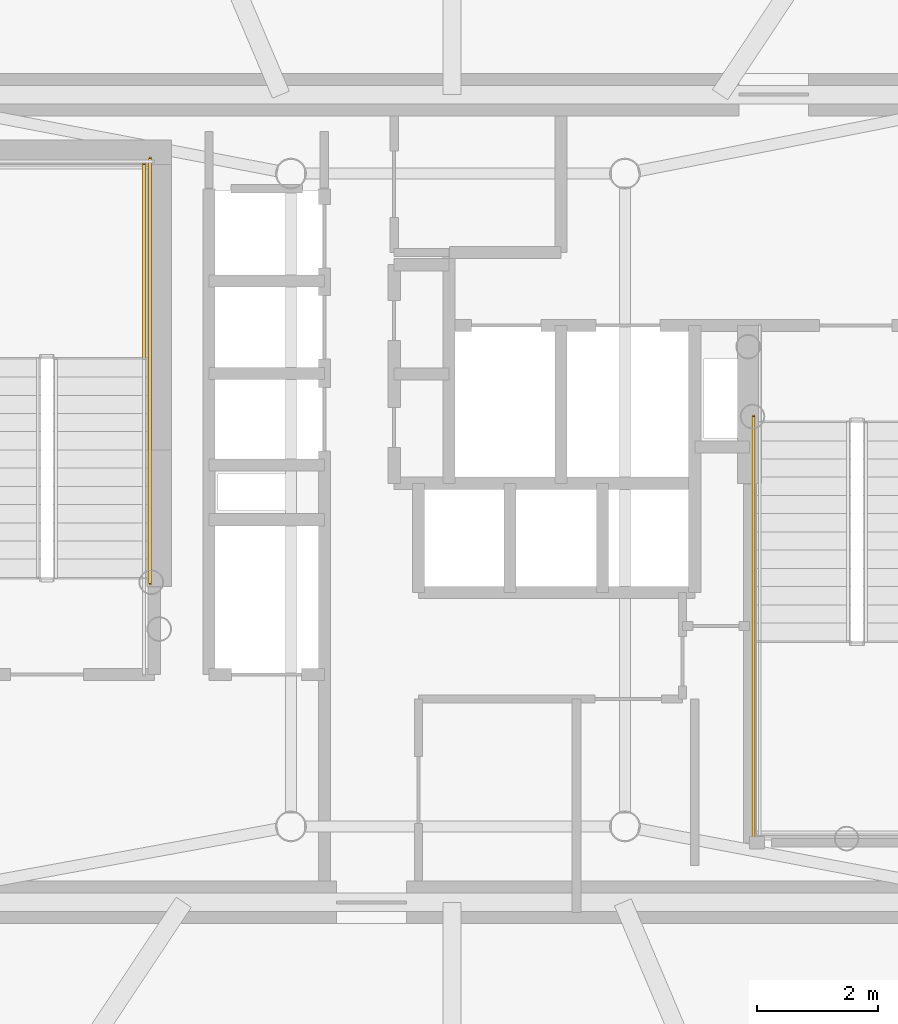
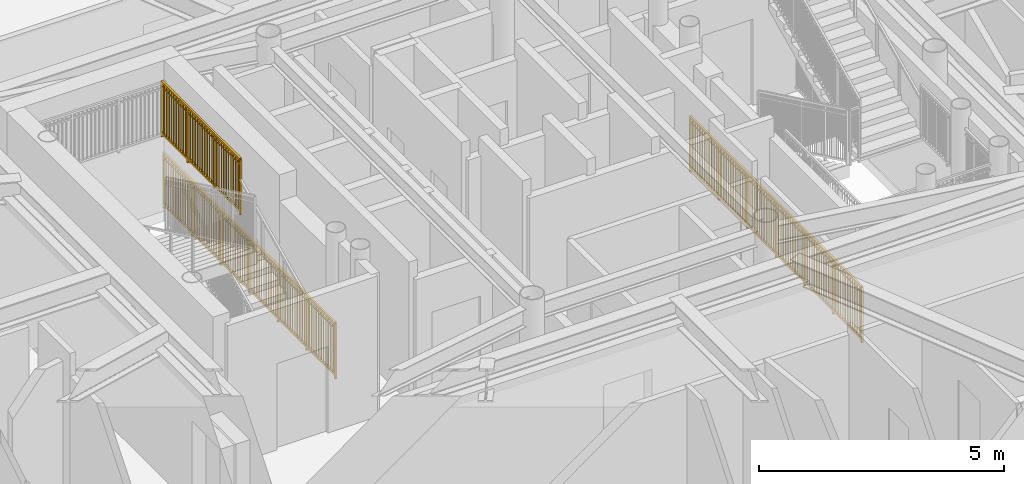
# One storey, part 18 of 21: 3 railings.
"""IFC4 building model written with IfcOpenShell, lengths in metres."""

from ifc_helpers import new_model, si_unit, direction, frame, origin, origin_2d, place, context, subcontext, project, spatial, rectangle, extrude, source, transform, mapped, material, type_object, element, save


model = new_model("IFC4")

# Units and contexts
model_context = context("Model", 3, precision=1e-05, world=origin(), true_north=direction((0.0, 1.0)))
body_context = subcontext(model_context, "Body", "Model", "MODEL_VIEW")
ifc_project = project(units=[si_unit("LENGTHUNIT", "METRE"), si_unit("AREAUNIT", "SQUARE_METRE"), si_unit("VOLUMEUNIT", "CUBIC_METRE"), si_unit("PLANEANGLEUNIT", "RADIAN"), si_unit("MASSUNIT", "GRAM", prefix="KILO")], contexts=[model_context])

# Site, building, storey
site_placement = place(None, origin())
site = spatial("IfcSite", under=ifc_project, at=site_placement, CompositionType="ELEMENT")
building_placement = place(site_placement, origin())
building = spatial("IfcBuilding", under=site, at=building_placement, Name="Linh Dai School and Residence Tower", CompositionType="ELEMENT")
storey_placement = place(building_placement, frame((0.0, 0.0, 251.550048828125)))
storey = spatial("IfcBuildingStorey", under=building, at=storey_placement, Name="L62", CompositionType="ELEMENT", Elevation=251.550048828125)

# Railings
ifc_material = material(Name="Structural Steel S355JR", Category="steel")
railing_type = type_object("IfcRailingType", Name="RL-ST-GUARD-1400", PredefinedType="GUARDRAIL", material=ifc_material)
shared_shape_1 = source(origin(), body_context, "Body", "SweptSolid", [
    extrude(rectangle(XDim=0.048095703125, YDim=0.048095703125, at=origin_2d()), frame((0.0, 0.0, 1.3759765625), z_axis=(0.0, 1.0, 0.0), x_axis=(-1.0, 0.0, 0.0)), (0.0, 0.0, 1.0), 7.0),
    extrude(rectangle(XDim=0.048095703125, YDim=0.048095703125, at=origin_2d()), frame((0.0, 0.0, 0.10009765625), z_axis=(0.0, 1.0, 0.0), x_axis=(-1.0, 0.0, 0.0)), (0.0, 0.0, 1.0), 7.0),
    extrude(rectangle(XDim=0.030029296875, YDim=0.030029296875, at=origin_2d()), frame((0.0, 0.0, 1.239990234375), z_axis=(0.0, 1.0, 0.0), x_axis=(-1.0, 0.0, 0.0)), (0.0, 0.0, 1.0), 7.0),
    extrude(rectangle(XDim=0.02001953125, YDim=0.02001953125, at=origin_2d()), frame((0.0, 0.09716796875, 0.10009765625)), (0.0, 0.0, 1.0), 1.251708984375),
    extrude(rectangle(XDim=0.02001953125, YDim=0.02001953125, at=origin_2d()), frame((0.0, 0.1943359375, 0.10009765625)), (0.0, 0.0, 1.0), 1.251708984375),
    extrude(rectangle(XDim=0.02001953125, YDim=0.02001953125, at=origin_2d()), frame((0.0, 0.291748046875, 0.10009765625)), (0.0, 0.0, 1.0), 1.251708984375),
    extrude(rectangle(XDim=0.02001953125, YDim=0.02001953125, at=origin_2d()), frame((0.0, 0.388916015625, 0.10009765625)), (0.0, 0.0, 1.0), 1.251708984375),
    extrude(rectangle(XDim=0.02001953125, YDim=0.02001953125, at=origin_2d()), frame((0.0, 0.486083984375, 0.10009765625)), (0.0, 0.0, 1.0), 1.251708984375),
    extrude(rectangle(XDim=0.02001953125, YDim=0.02001953125, at=origin_2d()), frame((0.0, 0.583251953125, 0.10009765625)), (0.0, 0.0, 1.0), 1.251708984375),
    extrude(rectangle(XDim=0.02001953125, YDim=0.02001953125, at=origin_2d()), frame((0.0, 0.6806640625, 0.10009765625)), (0.0, 0.0, 1.0), 1.251708984375),
    extrude(rectangle(XDim=0.02001953125, YDim=0.02001953125, at=origin_2d()), frame((0.0, 0.77783203125, 0.10009765625)), (0.0, 0.0, 1.0), 1.251708984375),
    extrude(rectangle(XDim=0.02001953125, YDim=0.02001953125, at=origin_2d()), frame((0.0, 0.875, 0.10009765625)), (0.0, 0.0, 1.0), 1.251708984375),
    extrude(rectangle(XDim=0.02001953125, YDim=0.02001953125, at=origin_2d()), frame((0.0, 0.97216796875, 0.10009765625)), (0.0, 0.0, 1.0), 1.251708984375),
    extrude(rectangle(XDim=0.02001953125, YDim=0.02001953125, at=origin_2d()), frame((0.0, 1.0693359375, 0.10009765625)), (0.0, 0.0, 1.0), 1.251708984375),
    extrude(rectangle(XDim=0.02001953125, YDim=0.02001953125, at=origin_2d()), frame((0.0, 1.263916015625, 0.10009765625)), (0.0, 0.0, 1.0), 1.251708984375),
    extrude(rectangle(XDim=0.02001953125, YDim=0.02001953125, at=origin_2d()), frame((0.0, 1.361083984375, 0.10009765625)), (0.0, 0.0, 1.0), 1.251708984375),
    extrude(rectangle(XDim=0.02001953125, YDim=0.02001953125, at=origin_2d()), frame((0.0, 1.458251953125, 0.10009765625)), (0.0, 0.0, 1.0), 1.251708984375),
    extrude(rectangle(XDim=0.02001953125, YDim=0.02001953125, at=origin_2d()), frame((0.0, 1.5556640625, 0.10009765625)), (0.0, 0.0, 1.0), 1.251708984375),
    extrude(rectangle(XDim=0.02001953125, YDim=0.02001953125, at=origin_2d()), frame((0.0, 1.65283203125, 0.10009765625)), (0.0, 0.0, 1.0), 1.251708984375),
    extrude(rectangle(XDim=0.02001953125, YDim=0.02001953125, at=origin_2d()), frame((0.0, 1.75, 0.10009765625)), (0.0, 0.0, 1.0), 1.251708984375),
    extrude(rectangle(XDim=0.02001953125, YDim=0.02001953125, at=origin_2d()), frame((0.0, 1.84716796875, 0.10009765625)), (0.0, 0.0, 1.0), 1.251708984375),
    extrude(rectangle(XDim=0.02001953125, YDim=0.02001953125, at=origin_2d()), frame((0.0, 1.9443359375, 0.10009765625)), (0.0, 0.0, 1.0), 1.251708984375),
    extrude(rectangle(XDim=0.02001953125, YDim=0.02001953125, at=origin_2d()), frame((0.0, 2.041748046875, 0.10009765625)), (0.0, 0.0, 1.0), 1.251708984375),
    extrude(rectangle(XDim=0.02001953125, YDim=0.02001953125, at=origin_2d()), frame((0.0, 2.138916015625, 0.10009765625)), (0.0, 0.0, 1.0), 1.251708984375),
    extrude(rectangle(XDim=0.02001953125, YDim=0.02001953125, at=origin_2d()), frame((0.0, 2.236083984375, 0.10009765625)), (0.0, 0.0, 1.0), 1.251708984375),
    extrude(rectangle(XDim=0.02001953125, YDim=0.02001953125, at=origin_2d()), frame((0.0, 2.4306640625, 0.10009765625)), (0.0, 0.0, 1.0), 1.251708984375),
    extrude(rectangle(XDim=0.02001953125, YDim=0.02001953125, at=origin_2d()), frame((0.0, 2.52783203125, 0.10009765625)), (0.0, 0.0, 1.0), 1.251708984375),
    extrude(rectangle(XDim=0.02001953125, YDim=0.02001953125, at=origin_2d()), frame((0.0, 2.625, 0.10009765625)), (0.0, 0.0, 1.0), 1.251708984375),
    extrude(rectangle(XDim=0.02001953125, YDim=0.02001953125, at=origin_2d()), frame((0.0, 2.72216796875, 0.10009765625)), (0.0, 0.0, 1.0), 1.251708984375),
    extrude(rectangle(XDim=0.02001953125, YDim=0.02001953125, at=origin_2d()), frame((0.0, 2.8193359375, 0.10009765625)), (0.0, 0.0, 1.0), 1.251708984375),
    extrude(rectangle(XDim=0.02001953125, YDim=0.02001953125, at=origin_2d()), frame((0.0, 2.916748046875, 0.10009765625)), (0.0, 0.0, 1.0), 1.251708984375),
    extrude(rectangle(XDim=0.02001953125, YDim=0.02001953125, at=origin_2d()), frame((0.0, 3.013916015625, 0.10009765625)), (0.0, 0.0, 1.0), 1.251708984375),
    extrude(rectangle(XDim=0.02001953125, YDim=0.02001953125, at=origin_2d()), frame((0.0, 3.111083984375, 0.10009765625)), (0.0, 0.0, 1.0), 1.251708984375),
    extrude(rectangle(XDim=0.02001953125, YDim=0.02001953125, at=origin_2d()), frame((0.0, 3.208251953125, 0.10009765625)), (0.0, 0.0, 1.0), 1.251708984375),
    extrude(rectangle(XDim=0.02001953125, YDim=0.02001953125, at=origin_2d()), frame((0.0, 3.3056640625, 0.10009765625)), (0.0, 0.0, 1.0), 1.251708984375),
    extrude(rectangle(XDim=0.02001953125, YDim=0.02001953125, at=origin_2d()), frame((0.0, 3.40283203125, 0.10009765625)), (0.0, 0.0, 1.0), 1.251708984375),
    extrude(rectangle(XDim=0.02001953125, YDim=0.02001953125, at=origin_2d()), frame((0.0, 3.59716796875, 0.10009765625)), (0.0, 0.0, 1.0), 1.251708984375),
    extrude(rectangle(XDim=0.02001953125, YDim=0.02001953125, at=origin_2d()), frame((0.0, 3.6943359375, 0.10009765625)), (0.0, 0.0, 1.0), 1.251708984375),
    extrude(rectangle(XDim=0.02001953125, YDim=0.02001953125, at=origin_2d()), frame((0.0, 3.791748046875, 0.10009765625)), (0.0, 0.0, 1.0), 1.251708984375),
    extrude(rectangle(XDim=0.02001953125, YDim=0.02001953125, at=origin_2d()), frame((0.0, 3.888916015625, 0.10009765625)), (0.0, 0.0, 1.0), 1.251708984375),
    extrude(rectangle(XDim=0.02001953125, YDim=0.02001953125, at=origin_2d()), frame((0.0, 3.986083984375, 0.10009765625)), (0.0, 0.0, 1.0), 1.251708984375),
    extrude(rectangle(XDim=0.02001953125, YDim=0.02001953125, at=origin_2d()), frame((0.0, 4.083251953125, 0.10009765625)), (0.0, 0.0, 1.0), 1.251708984375),
    extrude(rectangle(XDim=0.02001953125, YDim=0.02001953125, at=origin_2d()), frame((0.0, 4.1806640625, 0.10009765625)), (0.0, 0.0, 1.0), 1.251708984375),
    extrude(rectangle(XDim=0.02001953125, YDim=0.02001953125, at=origin_2d()), frame((0.0, 4.27783203125, 0.10009765625)), (0.0, 0.0, 1.0), 1.251708984375),
    extrude(rectangle(XDim=0.02001953125, YDim=0.02001953125, at=origin_2d()), frame((0.0, 4.375, 0.10009765625)), (0.0, 0.0, 1.0), 1.251708984375),
    extrude(rectangle(XDim=0.02001953125, YDim=0.02001953125, at=origin_2d()), frame((0.0, 4.47216796875, 0.10009765625)), (0.0, 0.0, 1.0), 1.251708984375),
    extrude(rectangle(XDim=0.02001953125, YDim=0.02001953125, at=origin_2d()), frame((0.0, 4.5693359375, 0.10009765625)), (0.0, 0.0, 1.0), 1.251708984375),
    extrude(rectangle(XDim=0.02001953125, YDim=0.02001953125, at=origin_2d()), frame((0.0, 4.763916015625, 0.10009765625)), (0.0, 0.0, 1.0), 1.251708984375),
    extrude(rectangle(XDim=0.02001953125, YDim=0.02001953125, at=origin_2d()), frame((0.0, 4.861083984375, 0.10009765625)), (0.0, 0.0, 1.0), 1.251708984375),
    extrude(rectangle(XDim=0.02001953125, YDim=0.02001953125, at=origin_2d()), frame((0.0, 4.958251953125, 0.10009765625)), (0.0, 0.0, 1.0), 1.251708984375),
    extrude(rectangle(XDim=0.02001953125, YDim=0.02001953125, at=origin_2d()), frame((0.0, 5.0556640625, 0.10009765625)), (0.0, 0.0, 1.0), 1.251708984375),
    extrude(rectangle(XDim=0.02001953125, YDim=0.02001953125, at=origin_2d()), frame((0.0, 5.15283203125, 0.10009765625)), (0.0, 0.0, 1.0), 1.251708984375),
    extrude(rectangle(XDim=0.02001953125, YDim=0.02001953125, at=origin_2d()), frame((0.0, 5.25, 0.10009765625)), (0.0, 0.0, 1.0), 1.251708984375),
    extrude(rectangle(XDim=0.02001953125, YDim=0.02001953125, at=origin_2d()), frame((0.0, 5.34716796875, 0.10009765625)), (0.0, 0.0, 1.0), 1.251708984375),
    extrude(rectangle(XDim=0.02001953125, YDim=0.02001953125, at=origin_2d()), frame((0.0, 5.4443359375, 0.10009765625)), (0.0, 0.0, 1.0), 1.251708984375),
    extrude(rectangle(XDim=0.02001953125, YDim=0.02001953125, at=origin_2d()), frame((0.0, 5.541748046875, 0.10009765625)), (0.0, 0.0, 1.0), 1.251708984375),
    extrude(rectangle(XDim=0.02001953125, YDim=0.02001953125, at=origin_2d()), frame((0.0, 5.638916015625, 0.10009765625)), (0.0, 0.0, 1.0), 1.251708984375),
    extrude(rectangle(XDim=0.02001953125, YDim=0.02001953125, at=origin_2d()), frame((0.0, 5.736083984375, 0.10009765625)), (0.0, 0.0, 1.0), 1.251708984375),
    extrude(rectangle(XDim=0.02001953125, YDim=0.02001953125, at=origin_2d()), frame((0.0, 5.9306640625, 0.10009765625)), (0.0, 0.0, 1.0), 1.251708984375),
    extrude(rectangle(XDim=0.02001953125, YDim=0.02001953125, at=origin_2d()), frame((0.0, 6.02783203125, 0.10009765625)), (0.0, 0.0, 1.0), 1.251708984375),
    extrude(rectangle(XDim=0.02001953125, YDim=0.02001953125, at=origin_2d()), frame((0.0, 6.125, 0.10009765625)), (0.0, 0.0, 1.0), 1.251708984375),
    extrude(rectangle(XDim=0.02001953125, YDim=0.02001953125, at=origin_2d()), frame((0.0, 6.22216796875, 0.10009765625)), (0.0, 0.0, 1.0), 1.251708984375),
    extrude(rectangle(XDim=0.02001953125, YDim=0.02001953125, at=origin_2d()), frame((0.0, 6.3193359375, 0.10009765625)), (0.0, 0.0, 1.0), 1.251708984375),
    extrude(rectangle(XDim=0.02001953125, YDim=0.02001953125, at=origin_2d()), frame((0.0, 6.416748046875, 0.10009765625)), (0.0, 0.0, 1.0), 1.251708984375),
    extrude(rectangle(XDim=0.02001953125, YDim=0.02001953125, at=origin_2d()), frame((0.0, 6.513916015625, 0.10009765625)), (0.0, 0.0, 1.0), 1.251708984375),
    extrude(rectangle(XDim=0.02001953125, YDim=0.02001953125, at=origin_2d()), frame((0.0, 6.611083984375, 0.10009765625)), (0.0, 0.0, 1.0), 1.251708984375),
    extrude(rectangle(XDim=0.02001953125, YDim=0.02001953125, at=origin_2d()), frame((0.0, 6.708251953125, 0.10009765625)), (0.0, 0.0, 1.0), 1.251708984375),
    extrude(rectangle(XDim=0.02001953125, YDim=0.02001953125, at=origin_2d()), frame((0.0, 6.8056640625, 0.10009765625)), (0.0, 0.0, 1.0), 1.251708984375),
    extrude(rectangle(XDim=0.02001953125, YDim=0.02001953125, at=origin_2d()), frame((0.0, 6.90283203125, 0.10009765625)), (0.0, 0.0, 1.0), 1.251708984375),
    extrude(rectangle(XDim=0.0419921875, YDim=0.0419921875, at=origin_2d()), origin(), (0.0, 0.0, 1.0), 1.3759765625),
    extrude(rectangle(XDim=0.0419921875, YDim=0.0419921875, at=origin_2d()), frame((0.0, 1.166748046875, 0.0)), (0.0, 0.0, 1.0), 1.3759765625),
    extrude(rectangle(XDim=0.0419921875, YDim=0.0419921875, at=origin_2d()), frame((0.0, 2.333251953125, 0.0)), (0.0, 0.0, 1.0), 1.3759765625),
    extrude(rectangle(XDim=0.0419921875, YDim=0.0419921875, at=origin_2d()), frame((0.0, 3.5, 0.0)), (0.0, 0.0, 1.0), 1.3759765625),
    extrude(rectangle(XDim=0.0419921875, YDim=0.0419921875, at=origin_2d()), frame((0.0, 4.666748046875, 0.0)), (0.0, 0.0, 1.0), 1.3759765625),
    extrude(rectangle(XDim=0.0419921875, YDim=0.0419921875, at=origin_2d()), frame((0.0, 5.833251953125, 0.0)), (0.0, 0.0, 1.0), 1.3759765625),
    extrude(rectangle(XDim=0.0419921875, YDim=0.0419921875, at=origin_2d()), frame((0.0, 7.0, 0.0)), (0.0, 0.0, 1.0), 1.3759765625),
])
railing_1_placement = place(storey_placement, frame((31.030029296875, 25.60009765625, 0.0)))
element("IfcRailing", 1, at=railing_1_placement, inside=storey, type_object=railing_type, Name="L62 ST1 stair guard 10", PredefinedType="GUARDRAIL", context=body_context, shape_type="MappedRepresentation", body=[
    mapped(shared_shape_1, transform((0.0, 0.0, 0.0), x_axis=(1.0, 0.0, 0.0), y_axis=(0.0, 1.0, 0.0), z_axis=(0.0, 0.0, 1.0), scale=1.0)),
])
shared_shape_2 = source(origin(), body_context, "Body", "SweptSolid", [
    extrude(rectangle(XDim=0.048095703125, YDim=0.048095703125, at=origin_2d()), frame((0.0, 0.0, 1.3759765625), z_axis=(0.0, 1.0, 0.0), x_axis=(-1.0, 0.0, 0.0)), (0.0, 0.0, 1.0), 3.199951171875),
    extrude(rectangle(XDim=0.048095703125, YDim=0.048095703125, at=origin_2d()), frame((0.0, 0.0, 0.10009765625), z_axis=(0.0, 1.0, 0.0), x_axis=(-1.0, 0.0, 0.0)), (0.0, 0.0, 1.0), 3.199951171875),
    extrude(rectangle(XDim=0.030029296875, YDim=0.030029296875, at=origin_2d()), frame((0.0, 0.0, 1.239990234375), z_axis=(0.0, 1.0, 0.0), x_axis=(-1.0, 0.0, 0.0)), (0.0, 0.0, 1.0), 3.199951171875),
    extrude(rectangle(XDim=0.02001953125, YDim=0.02001953125, at=origin_2d()), frame((0.0, 0.096923828125, 0.10009765625)), (0.0, 0.0, 1.0), 1.251708984375),
    extrude(rectangle(XDim=0.02001953125, YDim=0.02001953125, at=origin_2d()), frame((0.0, 0.19384765625, 0.10009765625)), (0.0, 0.0, 1.0), 1.251708984375),
    extrude(rectangle(XDim=0.02001953125, YDim=0.02001953125, at=origin_2d()), frame((0.0, 0.291015625, 0.10009765625)), (0.0, 0.0, 1.0), 1.251708984375),
    extrude(rectangle(XDim=0.02001953125, YDim=0.02001953125, at=origin_2d()), frame((0.0, 0.387939453125, 0.10009765625)), (0.0, 0.0, 1.0), 1.251708984375),
    extrude(rectangle(XDim=0.02001953125, YDim=0.02001953125, at=origin_2d()), frame((0.0, 0.48486328125, 0.10009765625)), (0.0, 0.0, 1.0), 1.251708984375),
    extrude(rectangle(XDim=0.02001953125, YDim=0.02001953125, at=origin_2d()), frame((0.0, 0.581787109375, 0.10009765625)), (0.0, 0.0, 1.0), 1.251708984375),
    extrude(rectangle(XDim=0.02001953125, YDim=0.02001953125, at=origin_2d()), frame((0.0, 0.6787109375, 0.10009765625)), (0.0, 0.0, 1.0), 1.251708984375),
    extrude(rectangle(XDim=0.02001953125, YDim=0.02001953125, at=origin_2d()), frame((0.0, 0.775634765625, 0.10009765625)), (0.0, 0.0, 1.0), 1.251708984375),
    extrude(rectangle(XDim=0.02001953125, YDim=0.02001953125, at=origin_2d()), frame((0.0, 0.872802734375, 0.10009765625)), (0.0, 0.0, 1.0), 1.251708984375),
    extrude(rectangle(XDim=0.02001953125, YDim=0.02001953125, at=origin_2d()), frame((0.0, 0.9697265625, 0.10009765625)), (0.0, 0.0, 1.0), 1.251708984375),
    extrude(rectangle(XDim=0.02001953125, YDim=0.02001953125, at=origin_2d()), frame((0.0, 1.16357421875, 0.10009765625)), (0.0, 0.0, 1.0), 1.251708984375),
    extrude(rectangle(XDim=0.02001953125, YDim=0.02001953125, at=origin_2d()), frame((0.0, 1.260498046875, 0.10009765625)), (0.0, 0.0, 1.0), 1.251708984375),
    extrude(rectangle(XDim=0.02001953125, YDim=0.02001953125, at=origin_2d()), frame((0.0, 1.357666015625, 0.10009765625)), (0.0, 0.0, 1.0), 1.251708984375),
    extrude(rectangle(XDim=0.02001953125, YDim=0.02001953125, at=origin_2d()), frame((0.0, 1.45458984375, 0.10009765625)), (0.0, 0.0, 1.0), 1.251708984375),
    extrude(rectangle(XDim=0.02001953125, YDim=0.02001953125, at=origin_2d()), frame((0.0, 1.551513671875, 0.10009765625)), (0.0, 0.0, 1.0), 1.251708984375),
    extrude(rectangle(XDim=0.02001953125, YDim=0.02001953125, at=origin_2d()), frame((0.0, 1.6484375, 0.10009765625)), (0.0, 0.0, 1.0), 1.251708984375),
    extrude(rectangle(XDim=0.02001953125, YDim=0.02001953125, at=origin_2d()), frame((0.0, 1.745361328125, 0.10009765625)), (0.0, 0.0, 1.0), 1.251708984375),
    extrude(rectangle(XDim=0.02001953125, YDim=0.02001953125, at=origin_2d()), frame((0.0, 1.84228515625, 0.10009765625)), (0.0, 0.0, 1.0), 1.251708984375),
    extrude(rectangle(XDim=0.02001953125, YDim=0.02001953125, at=origin_2d()), frame((0.0, 1.939453125, 0.10009765625)), (0.0, 0.0, 1.0), 1.251708984375),
    extrude(rectangle(XDim=0.02001953125, YDim=0.02001953125, at=origin_2d()), frame((0.0, 2.036376953125, 0.10009765625)), (0.0, 0.0, 1.0), 1.251708984375),
    extrude(rectangle(XDim=0.02001953125, YDim=0.02001953125, at=origin_2d()), frame((0.0, 2.230224609375, 0.10009765625)), (0.0, 0.0, 1.0), 1.251708984375),
    extrude(rectangle(XDim=0.02001953125, YDim=0.02001953125, at=origin_2d()), frame((0.0, 2.3271484375, 0.10009765625)), (0.0, 0.0, 1.0), 1.251708984375),
    extrude(rectangle(XDim=0.02001953125, YDim=0.02001953125, at=origin_2d()), frame((0.0, 2.42431640625, 0.10009765625)), (0.0, 0.0, 1.0), 1.251708984375),
    extrude(rectangle(XDim=0.02001953125, YDim=0.02001953125, at=origin_2d()), frame((0.0, 2.521240234375, 0.10009765625)), (0.0, 0.0, 1.0), 1.251708984375),
    extrude(rectangle(XDim=0.02001953125, YDim=0.02001953125, at=origin_2d()), frame((0.0, 2.6181640625, 0.10009765625)), (0.0, 0.0, 1.0), 1.251708984375),
    extrude(rectangle(XDim=0.02001953125, YDim=0.02001953125, at=origin_2d()), frame((0.0, 2.715087890625, 0.10009765625)), (0.0, 0.0, 1.0), 1.251708984375),
    extrude(rectangle(XDim=0.02001953125, YDim=0.02001953125, at=origin_2d()), frame((0.0, 2.81201171875, 0.10009765625)), (0.0, 0.0, 1.0), 1.251708984375),
    extrude(rectangle(XDim=0.02001953125, YDim=0.02001953125, at=origin_2d()), frame((0.0, 2.908935546875, 0.10009765625)), (0.0, 0.0, 1.0), 1.251708984375),
    extrude(rectangle(XDim=0.02001953125, YDim=0.02001953125, at=origin_2d()), frame((0.0, 3.006103515625, 0.10009765625)), (0.0, 0.0, 1.0), 1.251708984375),
    extrude(rectangle(XDim=0.02001953125, YDim=0.02001953125, at=origin_2d()), frame((0.0, 3.10302734375, 0.10009765625)), (0.0, 0.0, 1.0), 1.251708984375),
    extrude(rectangle(XDim=0.0419921875, YDim=0.0419921875, at=origin_2d()), origin(), (0.0, 0.0, 1.0), 1.3759765625),
    extrude(rectangle(XDim=0.0419921875, YDim=0.0419921875, at=origin_2d()), frame((0.0, 1.066650390625, 0.0)), (0.0, 0.0, 1.0), 1.3759765625),
    extrude(rectangle(XDim=0.0419921875, YDim=0.0419921875, at=origin_2d()), frame((0.0, 2.13330078125, 0.0)), (0.0, 0.0, 1.0), 1.3759765625),
    extrude(rectangle(XDim=0.0419921875, YDim=0.0419921875, at=origin_2d()), frame((0.0, 3.199951171875, 0.0)), (0.0, 0.0, 1.0), 1.3759765625),
])
railing_2_placement = place(storey_placement, frame((30.929931640625, 29.300048828125, 1.875)))
element("IfcRailing", 2, at=railing_2_placement, inside=storey, type_object=railing_type, Name="L62 ST1 stair guard 3", PredefinedType="GUARDRAIL", context=body_context, shape_type="MappedRepresentation", body=[
    mapped(shared_shape_2, transform((0.0, 0.0, 0.0), x_axis=(1.0, 0.0, 0.0), y_axis=(0.0, 1.0, 0.0), z_axis=(0.0, 0.0, 1.0), scale=1.0)),
])
shared_shape_3 = source(origin(), body_context, "Body", "SweptSolid", [
    extrude(rectangle(XDim=0.048095703125, YDim=0.048095703125, at=origin_2d()), frame((0.0, 0.0, 1.3759765625), z_axis=(0.0, -1.0, 0.0), x_axis=(1.0, 0.0, 0.0)), (0.0, 0.0, 1.0), 7.0),
    extrude(rectangle(XDim=0.048095703125, YDim=0.048095703125, at=origin_2d()), frame((0.0, 0.0, 0.10009765625), z_axis=(0.0, -1.0, 0.0), x_axis=(1.0, 0.0, 0.0)), (0.0, 0.0, 1.0), 7.0),
    extrude(rectangle(XDim=0.030029296875, YDim=0.030029296875, at=origin_2d()), frame((0.0, 0.0, 1.239990234375), z_axis=(0.0, -1.0, 0.0), x_axis=(1.0, 0.0, 0.0)), (0.0, 0.0, 1.0), 7.0),
    extrude(rectangle(XDim=0.02001953125, YDim=0.02001953125, at=origin_2d()), frame((0.0, -0.09716796875, 0.10009765625)), (0.0, 0.0, 1.0), 1.251708984375),
    extrude(rectangle(XDim=0.02001953125, YDim=0.02001953125, at=origin_2d()), frame((0.0, -0.1943359375, 0.10009765625)), (0.0, 0.0, 1.0), 1.251708984375),
    extrude(rectangle(XDim=0.02001953125, YDim=0.02001953125, at=origin_2d()), frame((0.0, -0.291748046875, 0.10009765625)), (0.0, 0.0, 1.0), 1.251708984375),
    extrude(rectangle(XDim=0.02001953125, YDim=0.02001953125, at=origin_2d()), frame((0.0, -0.388916015625, 0.10009765625)), (0.0, 0.0, 1.0), 1.251708984375),
    extrude(rectangle(XDim=0.02001953125, YDim=0.02001953125, at=origin_2d()), frame((0.0, -0.486083984375, 0.10009765625)), (0.0, 0.0, 1.0), 1.251708984375),
    extrude(rectangle(XDim=0.02001953125, YDim=0.02001953125, at=origin_2d()), frame((0.0, -0.583251953125, 0.10009765625)), (0.0, 0.0, 1.0), 1.251708984375),
    extrude(rectangle(XDim=0.02001953125, YDim=0.02001953125, at=origin_2d()), frame((0.0, -0.6806640625, 0.10009765625)), (0.0, 0.0, 1.0), 1.251708984375),
    extrude(rectangle(XDim=0.02001953125, YDim=0.02001953125, at=origin_2d()), frame((0.0, -0.77783203125, 0.10009765625)), (0.0, 0.0, 1.0), 1.251708984375),
    extrude(rectangle(XDim=0.02001953125, YDim=0.02001953125, at=origin_2d()), frame((0.0, -0.875, 0.10009765625)), (0.0, 0.0, 1.0), 1.251708984375),
    extrude(rectangle(XDim=0.02001953125, YDim=0.02001953125, at=origin_2d()), frame((0.0, -0.97216796875, 0.10009765625)), (0.0, 0.0, 1.0), 1.251708984375),
    extrude(rectangle(XDim=0.02001953125, YDim=0.02001953125, at=origin_2d()), frame((0.0, -1.0693359375, 0.10009765625)), (0.0, 0.0, 1.0), 1.251708984375),
    extrude(rectangle(XDim=0.02001953125, YDim=0.02001953125, at=origin_2d()), frame((0.0, -1.263916015625, 0.10009765625)), (0.0, 0.0, 1.0), 1.251708984375),
    extrude(rectangle(XDim=0.02001953125, YDim=0.02001953125, at=origin_2d()), frame((0.0, -1.361083984375, 0.10009765625)), (0.0, 0.0, 1.0), 1.251708984375),
    extrude(rectangle(XDim=0.02001953125, YDim=0.02001953125, at=origin_2d()), frame((0.0, -1.458251953125, 0.10009765625)), (0.0, 0.0, 1.0), 1.251708984375),
    extrude(rectangle(XDim=0.02001953125, YDim=0.02001953125, at=origin_2d()), frame((0.0, -1.5556640625, 0.10009765625)), (0.0, 0.0, 1.0), 1.251708984375),
    extrude(rectangle(XDim=0.02001953125, YDim=0.02001953125, at=origin_2d()), frame((0.0, -1.65283203125, 0.10009765625)), (0.0, 0.0, 1.0), 1.251708984375),
    extrude(rectangle(XDim=0.02001953125, YDim=0.02001953125, at=origin_2d()), frame((0.0, -1.75, 0.10009765625)), (0.0, 0.0, 1.0), 1.251708984375),
    extrude(rectangle(XDim=0.02001953125, YDim=0.02001953125, at=origin_2d()), frame((0.0, -1.84716796875, 0.10009765625)), (0.0, 0.0, 1.0), 1.251708984375),
    extrude(rectangle(XDim=0.02001953125, YDim=0.02001953125, at=origin_2d()), frame((0.0, -1.9443359375, 0.10009765625)), (0.0, 0.0, 1.0), 1.251708984375),
    extrude(rectangle(XDim=0.02001953125, YDim=0.02001953125, at=origin_2d()), frame((0.0, -2.041748046875, 0.10009765625)), (0.0, 0.0, 1.0), 1.251708984375),
    extrude(rectangle(XDim=0.02001953125, YDim=0.02001953125, at=origin_2d()), frame((0.0, -2.138916015625, 0.10009765625)), (0.0, 0.0, 1.0), 1.251708984375),
    extrude(rectangle(XDim=0.02001953125, YDim=0.02001953125, at=origin_2d()), frame((0.0, -2.236083984375, 0.10009765625)), (0.0, 0.0, 1.0), 1.251708984375),
    extrude(rectangle(XDim=0.02001953125, YDim=0.02001953125, at=origin_2d()), frame((0.0, -2.4306640625, 0.10009765625)), (0.0, 0.0, 1.0), 1.251708984375),
    extrude(rectangle(XDim=0.02001953125, YDim=0.02001953125, at=origin_2d()), frame((0.0, -2.52783203125, 0.10009765625)), (0.0, 0.0, 1.0), 1.251708984375),
    extrude(rectangle(XDim=0.02001953125, YDim=0.02001953125, at=origin_2d()), frame((0.0, -2.625, 0.10009765625)), (0.0, 0.0, 1.0), 1.251708984375),
    extrude(rectangle(XDim=0.02001953125, YDim=0.02001953125, at=origin_2d()), frame((0.0, -2.72216796875, 0.10009765625)), (0.0, 0.0, 1.0), 1.251708984375),
    extrude(rectangle(XDim=0.02001953125, YDim=0.02001953125, at=origin_2d()), frame((0.0, -2.8193359375, 0.10009765625)), (0.0, 0.0, 1.0), 1.251708984375),
    extrude(rectangle(XDim=0.02001953125, YDim=0.02001953125, at=origin_2d()), frame((0.0, -2.916748046875, 0.10009765625)), (0.0, 0.0, 1.0), 1.251708984375),
    extrude(rectangle(XDim=0.02001953125, YDim=0.02001953125, at=origin_2d()), frame((0.0, -3.013916015625, 0.10009765625)), (0.0, 0.0, 1.0), 1.251708984375),
    extrude(rectangle(XDim=0.02001953125, YDim=0.02001953125, at=origin_2d()), frame((0.0, -3.111083984375, 0.10009765625)), (0.0, 0.0, 1.0), 1.251708984375),
    extrude(rectangle(XDim=0.02001953125, YDim=0.02001953125, at=origin_2d()), frame((0.0, -3.208251953125, 0.10009765625)), (0.0, 0.0, 1.0), 1.251708984375),
    extrude(rectangle(XDim=0.02001953125, YDim=0.02001953125, at=origin_2d()), frame((0.0, -3.3056640625, 0.10009765625)), (0.0, 0.0, 1.0), 1.251708984375),
    extrude(rectangle(XDim=0.02001953125, YDim=0.02001953125, at=origin_2d()), frame((0.0, -3.40283203125, 0.10009765625)), (0.0, 0.0, 1.0), 1.251708984375),
    extrude(rectangle(XDim=0.02001953125, YDim=0.02001953125, at=origin_2d()), frame((0.0, -3.59716796875, 0.10009765625)), (0.0, 0.0, 1.0), 1.251708984375),
    extrude(rectangle(XDim=0.02001953125, YDim=0.02001953125, at=origin_2d()), frame((0.0, -3.6943359375, 0.10009765625)), (0.0, 0.0, 1.0), 1.251708984375),
    extrude(rectangle(XDim=0.02001953125, YDim=0.02001953125, at=origin_2d()), frame((0.0, -3.791748046875, 0.10009765625)), (0.0, 0.0, 1.0), 1.251708984375),
    extrude(rectangle(XDim=0.02001953125, YDim=0.02001953125, at=origin_2d()), frame((0.0, -3.888916015625, 0.10009765625)), (0.0, 0.0, 1.0), 1.251708984375),
    extrude(rectangle(XDim=0.02001953125, YDim=0.02001953125, at=origin_2d()), frame((0.0, -3.986083984375, 0.10009765625)), (0.0, 0.0, 1.0), 1.251708984375),
    extrude(rectangle(XDim=0.02001953125, YDim=0.02001953125, at=origin_2d()), frame((0.0, -4.083251953125, 0.10009765625)), (0.0, 0.0, 1.0), 1.251708984375),
    extrude(rectangle(XDim=0.02001953125, YDim=0.02001953125, at=origin_2d()), frame((0.0, -4.1806640625, 0.10009765625)), (0.0, 0.0, 1.0), 1.251708984375),
    extrude(rectangle(XDim=0.02001953125, YDim=0.02001953125, at=origin_2d()), frame((0.0, -4.27783203125, 0.10009765625)), (0.0, 0.0, 1.0), 1.251708984375),
    extrude(rectangle(XDim=0.02001953125, YDim=0.02001953125, at=origin_2d()), frame((0.0, -4.375, 0.10009765625)), (0.0, 0.0, 1.0), 1.251708984375),
    extrude(rectangle(XDim=0.02001953125, YDim=0.02001953125, at=origin_2d()), frame((0.0, -4.47216796875, 0.10009765625)), (0.0, 0.0, 1.0), 1.251708984375),
    extrude(rectangle(XDim=0.02001953125, YDim=0.02001953125, at=origin_2d()), frame((0.0, -4.5693359375, 0.10009765625)), (0.0, 0.0, 1.0), 1.251708984375),
    extrude(rectangle(XDim=0.02001953125, YDim=0.02001953125, at=origin_2d()), frame((0.0, -4.763916015625, 0.10009765625)), (0.0, 0.0, 1.0), 1.251708984375),
    extrude(rectangle(XDim=0.02001953125, YDim=0.02001953125, at=origin_2d()), frame((0.0, -4.861083984375, 0.10009765625)), (0.0, 0.0, 1.0), 1.251708984375),
    extrude(rectangle(XDim=0.02001953125, YDim=0.02001953125, at=origin_2d()), frame((0.0, -4.958251953125, 0.10009765625)), (0.0, 0.0, 1.0), 1.251708984375),
    extrude(rectangle(XDim=0.02001953125, YDim=0.02001953125, at=origin_2d()), frame((0.0, -5.0556640625, 0.10009765625)), (0.0, 0.0, 1.0), 1.251708984375),
    extrude(rectangle(XDim=0.02001953125, YDim=0.02001953125, at=origin_2d()), frame((0.0, -5.15283203125, 0.10009765625)), (0.0, 0.0, 1.0), 1.251708984375),
    extrude(rectangle(XDim=0.02001953125, YDim=0.02001953125, at=origin_2d()), frame((0.0, -5.25, 0.10009765625)), (0.0, 0.0, 1.0), 1.251708984375),
    extrude(rectangle(XDim=0.02001953125, YDim=0.02001953125, at=origin_2d()), frame((0.0, -5.34716796875, 0.10009765625)), (0.0, 0.0, 1.0), 1.251708984375),
    extrude(rectangle(XDim=0.02001953125, YDim=0.02001953125, at=origin_2d()), frame((0.0, -5.4443359375, 0.10009765625)), (0.0, 0.0, 1.0), 1.251708984375),
    extrude(rectangle(XDim=0.02001953125, YDim=0.02001953125, at=origin_2d()), frame((0.0, -5.541748046875, 0.10009765625)), (0.0, 0.0, 1.0), 1.251708984375),
    extrude(rectangle(XDim=0.02001953125, YDim=0.02001953125, at=origin_2d()), frame((0.0, -5.638916015625, 0.10009765625)), (0.0, 0.0, 1.0), 1.251708984375),
    extrude(rectangle(XDim=0.02001953125, YDim=0.02001953125, at=origin_2d()), frame((0.0, -5.736083984375, 0.10009765625)), (0.0, 0.0, 1.0), 1.251708984375),
    extrude(rectangle(XDim=0.02001953125, YDim=0.02001953125, at=origin_2d()), frame((0.0, -5.9306640625, 0.10009765625)), (0.0, 0.0, 1.0), 1.251708984375),
    extrude(rectangle(XDim=0.02001953125, YDim=0.02001953125, at=origin_2d()), frame((0.0, -6.02783203125, 0.10009765625)), (0.0, 0.0, 1.0), 1.251708984375),
    extrude(rectangle(XDim=0.02001953125, YDim=0.02001953125, at=origin_2d()), frame((0.0, -6.125, 0.10009765625)), (0.0, 0.0, 1.0), 1.251708984375),
    extrude(rectangle(XDim=0.02001953125, YDim=0.02001953125, at=origin_2d()), frame((0.0, -6.22216796875, 0.10009765625)), (0.0, 0.0, 1.0), 1.251708984375),
    extrude(rectangle(XDim=0.02001953125, YDim=0.02001953125, at=origin_2d()), frame((0.0, -6.3193359375, 0.10009765625)), (0.0, 0.0, 1.0), 1.251708984375),
    extrude(rectangle(XDim=0.02001953125, YDim=0.02001953125, at=origin_2d()), frame((0.0, -6.416748046875, 0.10009765625)), (0.0, 0.0, 1.0), 1.251708984375),
    extrude(rectangle(XDim=0.02001953125, YDim=0.02001953125, at=origin_2d()), frame((0.0, -6.513916015625, 0.10009765625)), (0.0, 0.0, 1.0), 1.251708984375),
    extrude(rectangle(XDim=0.02001953125, YDim=0.02001953125, at=origin_2d()), frame((0.0, -6.611083984375, 0.10009765625)), (0.0, 0.0, 1.0), 1.251708984375),
    extrude(rectangle(XDim=0.02001953125, YDim=0.02001953125, at=origin_2d()), frame((0.0, -6.708251953125, 0.10009765625)), (0.0, 0.0, 1.0), 1.251708984375),
    extrude(rectangle(XDim=0.02001953125, YDim=0.02001953125, at=origin_2d()), frame((0.0, -6.8056640625, 0.10009765625)), (0.0, 0.0, 1.0), 1.251708984375),
    extrude(rectangle(XDim=0.02001953125, YDim=0.02001953125, at=origin_2d()), frame((0.0, -6.90283203125, 0.10009765625)), (0.0, 0.0, 1.0), 1.251708984375),
    extrude(rectangle(XDim=0.0419921875, YDim=0.0419921875, at=origin_2d()), origin(), (0.0, 0.0, 1.0), 1.3759765625),
    extrude(rectangle(XDim=0.0419921875, YDim=0.0419921875, at=origin_2d()), frame((0.0, -1.166748046875, 0.0)), (0.0, 0.0, 1.0), 1.3759765625),
    extrude(rectangle(XDim=0.0419921875, YDim=0.0419921875, at=origin_2d()), frame((0.0, -2.333251953125, 0.0)), (0.0, 0.0, 1.0), 1.3759765625),
    extrude(rectangle(XDim=0.0419921875, YDim=0.0419921875, at=origin_2d()), frame((0.0, -3.5, 0.0)), (0.0, 0.0, 1.0), 1.3759765625),
    extrude(rectangle(XDim=0.0419921875, YDim=0.0419921875, at=origin_2d()), frame((0.0, -4.666748046875, 0.0)), (0.0, 0.0, 1.0), 1.3759765625),
    extrude(rectangle(XDim=0.0419921875, YDim=0.0419921875, at=origin_2d()), frame((0.0, -5.833251953125, 0.0)), (0.0, 0.0, 1.0), 1.3759765625),
    extrude(rectangle(XDim=0.0419921875, YDim=0.0419921875, at=origin_2d()), frame((0.0, -7.0, 0.0)), (0.0, 0.0, 1.0), 1.3759765625),
])
railing_3_placement = place(storey_placement, frame((40.969970703125, 28.35009765625, 0.0)))
element("IfcRailing", 3, at=railing_3_placement, inside=storey, type_object=railing_type, Name="L62 ST2 stair guard 10", PredefinedType="GUARDRAIL", context=body_context, shape_type="MappedRepresentation", body=[
    mapped(shared_shape_3, transform((0.0, 0.0, 0.0), x_axis=(1.0, 0.0, 0.0), y_axis=(0.0, 1.0, 0.0), z_axis=(0.0, 0.0, 1.0), scale=1.0)),
])

save(model, "model.ifc")
